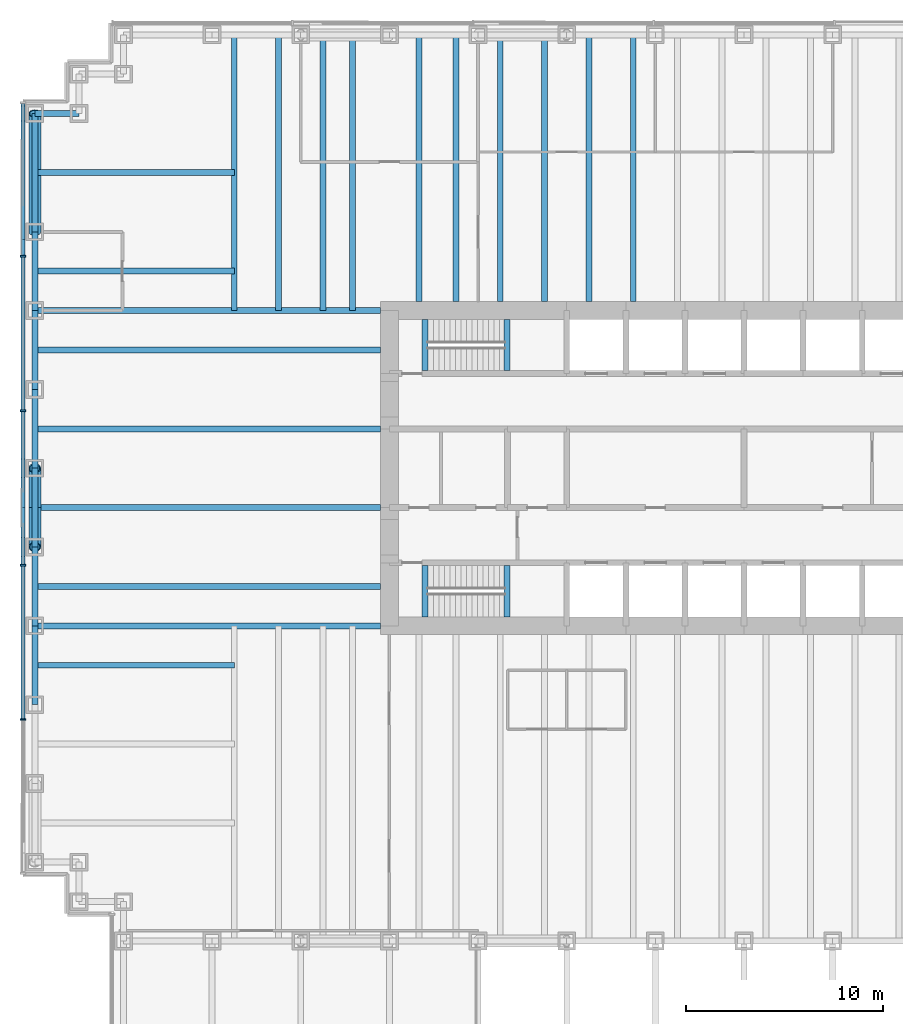
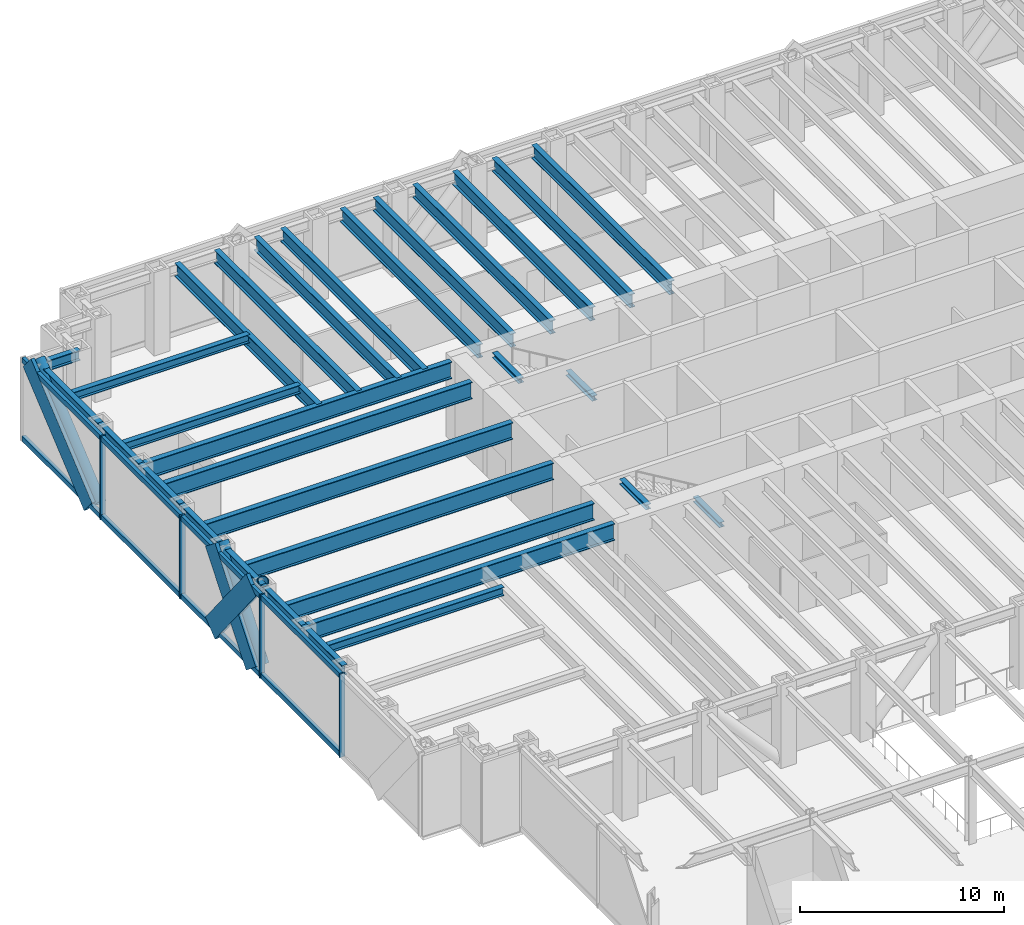
# One storey, part 5 of 17: 31 beams, 18 members, 1 element without a shape of its own.
"""IFC4 building model written with IfcOpenShell, lengths in metres."""

from ifc_helpers import new_model, si_unit, direction, frame, origin, origin_2d, place, context, subcontext, project, spatial, rectangle, hollow_circle, i_section, extrude, material, material_profile, profile_set, type_object, element, aggregate, save


model = new_model("IFC4")

# Units and contexts
model_context = context("Model", 3, precision=1e-05, world=origin(), true_north=direction((0.0, 1.0)))
body_context = subcontext(model_context, "Body", "Model", "MODEL_VIEW")
ifc_project = project(units=[si_unit("LENGTHUNIT", "METRE"), si_unit("AREAUNIT", "SQUARE_METRE"), si_unit("VOLUMEUNIT", "CUBIC_METRE"), si_unit("PLANEANGLEUNIT", "RADIAN"), si_unit("MASSUNIT", "GRAM", prefix="KILO")], contexts=[model_context])

# Site, building, storey
site_placement = place(None, origin())
site = spatial("IfcSite", under=ifc_project, at=site_placement, CompositionType="ELEMENT")
building_placement = place(site_placement, origin())
building = spatial("IfcBuilding", under=site, at=building_placement, Name="Rheinbord Bourse Tower", CompositionType="ELEMENT")
storey_placement = place(building_placement, frame((0.0, 0.0, 18.0)))
storey = spatial("IfcBuildingStorey", under=building, at=storey_placement, Name="L03", CompositionType="ELEMENT", Elevation=18.0)

# Curtain wall, members
ifc_material_1 = material(Name="Dark glass and black aluminium", Category="aluminium")
curtain_wall_type = type_object("IfcCurtainWallType", Name="CW4 DARK GLASS CURTAIN WALL", PredefinedType="USERDEFINED", material=ifc_material_1)
curtain_wall_placement = place(storey_placement, origin())
curtain_wall = element("IfcCurtainWall", 1, at=curtain_wall_placement, inside=storey, type_object=curtain_wall_type, Name="Curtain wall CW4 W L03", ObjectType="UNITISED CURTAIN WALL", PredefinedType="USERDEFINED")
ifc_material_2 = material(Name="Black anodised aluminium", Category="aluminium")
ifc_material_profile_1 = material_profile(ifc_material_2, rectangle(XDim=0.199951171875, YDim=1.2099609375, at=origin_2d()), Name="CW4 DIAGONAL MULLION 1210x200")
ifc_profile_set_1 = profile_set([ifc_material_profile_1], Name="Black anodised aluminium")
member_type_1 = type_object("IfcMemberType", Name="CW4 BLACK DIAGONAL MULLION", PredefinedType="USERDEFINED", material=ifc_profile_set_1)
member_1_placement = place(storey_placement, frame((-0.60009765625, 20.0, 0.0), z_axis=(0.0, 0.624695047554, 0.780868809443), x_axis=(-1.0, 0.0, 0.0)))
member_1 = element("IfcMember", 2, at=member_1_placement, type_object=member_type_1, Name="CW4 diagonal mullion a", ObjectType="DIAGONAL MULLION", PredefinedType="USERDEFINED", context=body_context, shape_type="SweptSolid", body=[
    extrude(rectangle(XDim=0.199951171875, YDim=1.2099609375, at=origin_2d()), origin(), (0.0, 0.0, 1.0), 6.403076171875),
])
member_2_placement = place(storey_placement, frame((-0.60009765625, 24.0, 0.0), z_axis=(0.0, -0.624695047554, 0.780868809443), x_axis=(1.0, 0.0, 0.0)))
member_2 = element("IfcMember", 3, at=member_2_placement, type_object=member_type_1, Name="CW4 diagonal mullion b", ObjectType="DIAGONAL MULLION", PredefinedType="USERDEFINED", context=body_context, shape_type="SweptSolid", body=[
    extrude(rectangle(XDim=0.199951171875, YDim=1.2099609375, at=origin_2d()), origin(), (0.0, 0.0, 1.0), 6.403076171875),
])
member_3_placement = place(storey_placement, frame((-0.60009765625, 36.0, 0.0), z_axis=(0.0, 0.768221279597, 0.640184399664), x_axis=(-1.0, 0.0, 0.0)))
member_3 = element("IfcMember", 4, at=member_3_placement, type_object=member_type_1, Name="CW4 diagonal mullion c", ObjectType="DIAGONAL MULLION", PredefinedType="USERDEFINED", context=body_context, shape_type="SweptSolid", body=[
    extrude(rectangle(XDim=0.199951171875, YDim=1.2099609375, at=origin_2d()), origin(), (0.0, 0.0, 1.0), 7.810302734375),
])
ifc_material_3 = material(Name="Black anodised aluminium", Category="aluminium")
ifc_material_profile_2 = material_profile(ifc_material_3, rectangle(XDim=0.300048828125, YDim=0.090087890625, at=origin_2d()), Name="CW4 MULLION 90x300")
ifc_profile_set_2 = profile_set([ifc_material_profile_2], Name="Black anodised aluminium")
member_type_2 = type_object("IfcMemberType", Name="CW4 BLACK MULLION", PredefinedType="MULLION", material=ifc_profile_set_2)
member_4_placement = place(storey_placement, frame((-0.60009765625, 34.760009765625, 0.0), z_axis=(0.0, 0.0, 1.0), x_axis=(1.0, 0.0, 0.0)))
member_4 = element("IfcMember", 5, at=member_4_placement, type_object=member_type_2, Name="CW4 mullion 2", PredefinedType="MULLION", context=body_context, shape_type="SweptSolid", body=[
    extrude(rectangle(XDim=0.300048828125, YDim=0.090087890625, at=origin_2d()), origin(), (0.0, 0.0, 1.0), 5.0),
])
member_5_placement = place(storey_placement, frame((-0.60009765625, 26.919921875, 0.0), z_axis=(0.0, 0.0, 1.0), x_axis=(1.0, 0.0, 0.0)))
member_5 = element("IfcMember", 6, at=member_5_placement, type_object=member_type_2, Name="CW4 mullion 3", PredefinedType="MULLION", context=body_context, shape_type="SweptSolid", body=[
    extrude(rectangle(XDim=0.300048828125, YDim=0.090087890625, at=origin_2d()), origin(), (0.0, 0.0, 1.0), 5.0),
])
member_6_placement = place(storey_placement, frame((-0.60009765625, 19.080078125, 0.0), z_axis=(0.0, 0.0, 1.0), x_axis=(1.0, 0.0, 0.0)))
member_6 = element("IfcMember", 7, at=member_6_placement, type_object=member_type_2, Name="CW4 mullion 4", PredefinedType="MULLION", context=body_context, shape_type="SweptSolid", body=[
    extrude(rectangle(XDim=0.300048828125, YDim=0.090087890625, at=origin_2d()), origin(), (0.0, 0.0, 1.0), 5.0),
])
member_7_placement = place(storey_placement, frame((-0.60009765625, 11.239990234375, 0.0), z_axis=(0.0, 0.0, 1.0), x_axis=(1.0, 0.0, 0.0)))
member_7 = element("IfcMember", 8, at=member_7_placement, type_object=member_type_2, Name="CW4 mullion 5", PredefinedType="MULLION", context=body_context, shape_type="SweptSolid", body=[
    extrude(rectangle(XDim=0.300048828125, YDim=0.090087890625, at=origin_2d()), origin(), (0.0, 0.0, 1.0), 5.0),
])
ifc_material_4 = material(Name="Black anodised aluminium", Category="aluminium")
ifc_material_profile_3 = material_profile(ifc_material_4, rectangle(XDim=0.199951171875, YDim=0.300048828125, at=origin_2d()), Name="CW4 TRANSOM 300x200")
ifc_profile_set_3 = profile_set([ifc_material_profile_3], Name="Black anodised aluminium")
member_type_3 = type_object("IfcMemberType", Name="CW4 BLACK TRANSOM", PredefinedType="USERDEFINED", material=ifc_profile_set_3)
member_8_placement = place(storey_placement, frame((-0.60009765625, 42.510009765625, 0.14990234375), z_axis=(0.0, -1.0, 0.0), x_axis=(1.0, 0.0, 0.0)))
member_8 = element("IfcMember", 9, at=member_8_placement, type_object=member_type_3, Name="CW4 transom 1.1", ObjectType="TRANSOM", PredefinedType="USERDEFINED", context=body_context, shape_type="SweptSolid", body=[
    extrude(rectangle(XDim=0.199951171875, YDim=0.300048828125, at=origin_2d()), origin(), (0.0, 0.0, 1.0), 7.705078125),
])
member_9_placement = place(storey_placement, frame((-0.60009765625, 42.510009765625, 4.85009765625), z_axis=(0.0, -1.0, 0.0), x_axis=(1.0, 0.0, 0.0)))
member_9 = element("IfcMember", 10, at=member_9_placement, type_object=member_type_3, Name="CW4 transom 1.2", ObjectType="TRANSOM", PredefinedType="USERDEFINED", context=body_context, shape_type="SweptSolid", body=[
    extrude(rectangle(XDim=0.199951171875, YDim=0.300048828125, at=origin_2d()), origin(), (0.0, 0.0, 1.0), 7.705078125),
])
member_10_placement = place(storey_placement, frame((-0.60009765625, 34.715087890625, 0.14990234375), z_axis=(0.0, -1.0, 0.0), x_axis=(1.0, 0.0, 0.0)))
member_10 = element("IfcMember", 11, at=member_10_placement, type_object=member_type_3, Name="CW4 transom 2.1", ObjectType="TRANSOM", PredefinedType="USERDEFINED", context=body_context, shape_type="SweptSolid", body=[
    extrude(rectangle(XDim=0.199951171875, YDim=0.300048828125, at=origin_2d()), origin(), (0.0, 0.0, 1.0), 7.75),
])
member_11_placement = place(storey_placement, frame((-0.60009765625, 34.715087890625, 4.85009765625), z_axis=(0.0, -1.0, 0.0), x_axis=(1.0, 0.0, 0.0)))
member_11 = element("IfcMember", 12, at=member_11_placement, type_object=member_type_3, Name="CW4 transom 2.2", ObjectType="TRANSOM", PredefinedType="USERDEFINED", context=body_context, shape_type="SweptSolid", body=[
    extrude(rectangle(XDim=0.199951171875, YDim=0.300048828125, at=origin_2d()), origin(), (0.0, 0.0, 1.0), 7.75),
])
member_12_placement = place(storey_placement, frame((-0.60009765625, 26.875, 0.14990234375), z_axis=(0.0, -1.0, 0.0), x_axis=(1.0, 0.0, 0.0)))
member_12 = element("IfcMember", 13, at=member_12_placement, type_object=member_type_3, Name="CW4 transom 3.1", ObjectType="TRANSOM", PredefinedType="USERDEFINED", context=body_context, shape_type="SweptSolid", body=[
    extrude(rectangle(XDim=0.199951171875, YDim=0.300048828125, at=origin_2d()), origin(), (0.0, 0.0, 1.0), 7.75),
])
member_13_placement = place(storey_placement, frame((-0.60009765625, 26.875, 4.85009765625), z_axis=(0.0, -1.0, 0.0), x_axis=(1.0, 0.0, 0.0)))
member_13 = element("IfcMember", 14, at=member_13_placement, type_object=member_type_3, Name="CW4 transom 3.2", ObjectType="TRANSOM", PredefinedType="USERDEFINED", context=body_context, shape_type="SweptSolid", body=[
    extrude(rectangle(XDim=0.199951171875, YDim=0.300048828125, at=origin_2d()), origin(), (0.0, 0.0, 1.0), 7.75),
])
member_14_placement = place(storey_placement, frame((-0.60009765625, 19.034912109375, 0.14990234375), z_axis=(0.0, -1.0, 0.0), x_axis=(1.0, 0.0, 0.0)))
member_14 = element("IfcMember", 15, at=member_14_placement, type_object=member_type_3, Name="CW4 transom 4.1", ObjectType="TRANSOM", PredefinedType="USERDEFINED", context=body_context, shape_type="SweptSolid", body=[
    extrude(rectangle(XDim=0.199951171875, YDim=0.300048828125, at=origin_2d()), origin(), (0.0, 0.0, 1.0), 7.75),
])
member_15_placement = place(storey_placement, frame((-0.60009765625, 19.034912109375, 4.85009765625), z_axis=(0.0, -1.0, 0.0), x_axis=(1.0, 0.0, 0.0)))
member_15 = element("IfcMember", 16, at=member_15_placement, type_object=member_type_3, Name="CW4 transom 4.2", ObjectType="TRANSOM", PredefinedType="USERDEFINED", context=body_context, shape_type="SweptSolid", body=[
    extrude(rectangle(XDim=0.199951171875, YDim=0.300048828125, at=origin_2d()), origin(), (0.0, 0.0, 1.0), 7.75),
])
aggregate(curtain_wall, [member_4, member_5, member_6, member_7, member_8, member_9, member_10, member_11, member_12, member_13, member_14, member_15, member_1, member_2, member_3])

# Beams
ifc_material_5 = material(Name="Steel S460", Category="steel")
ifc_material_profile_4 = material_profile(ifc_material_5, i_section(OverallWidth=0.302001953125, OverallDepth=1.008056640625, WebThickness=0.02099609375, FlangeThickness=0.0400390625, at=origin_2d()), Name="HEM 1000")
ifc_profile_set_4 = profile_set([ifc_material_profile_4], Name="Steel S460")
beam_type_1 = type_object("IfcBeamType", Name="END BEAM HEM 1000", PredefinedType="BEAM", material=ifc_profile_set_4)
for number, where, z_axis, x_axis, name in (
    (17, (0.0, 18.0, 4.31591796875), (1.0, 0.0, 0.0), (0.0, 1.0, 0.0), "End beam west 18 L04"),
    (18, (0.0, 22.0, 4.31591796875), (1.0, 0.0, 0.0), (0.0, 1.0, 0.0), "End beam west 22 L04"),
    (19, (0.0, 26.0, 4.31591796875), (1.0, 0.0, 0.0), (0.0, 1.0, 0.0), "End beam west 26 L04"),
    (20, (0.0, 30.0, 4.31591796875), (1.0, 0.0, 0.0), (0.0, 1.0, 0.0), "End beam west 30 L04"),
):
    element("IfcBeam", number, at=place(storey_placement, frame(where, z_axis=z_axis, x_axis=x_axis)), inside=storey, type_object=beam_type_1, Name=name, PredefinedType="BEAM", context=body_context, shape_type="SweptSolid", body=[
        extrude(i_section(OverallWidth=0.302001953125, OverallDepth=1.008056640625, WebThickness=0.02099609375, FlangeThickness=0.0400390625, at=origin_2d()), origin(), (0.0, 0.0, 1.0), 17.550048828125),
    ])
ifc_material_6 = material(Name="Steel S460", Category="steel")
ifc_material_profile_5 = material_profile(ifc_material_6, i_section(OverallWidth=0.300048828125, OverallDepth=0.800048828125, WebThickness=0.017578125, FlangeThickness=0.032958984375, at=origin_2d()), Name="HEB 800")
ifc_profile_set_5 = profile_set([ifc_material_profile_5], Name="Steel S460")
beam_type_2 = type_object("IfcBeamType", Name="FLOOR BEAM HEB 800", PredefinedType="BEAM", material=ifc_profile_set_5)
for number, where, z_axis, x_axis, name in (
    (21, (10.125, 46.0, 4.419921875), (0.0, -1.0, 0.0), (1.0, 0.0, 0.0), "Floor beam N-9a L04"),
    (22, (12.375, 46.0, 4.419921875), (0.0, -1.0, 0.0), (1.0, 0.0, 0.0), "Floor beam N-9b L04"),
    (23, (14.625, 46.0, 4.419921875), (0.0, -1.0, 0.0), (1.0, 0.0, 0.0), "Floor beam N-13.5a L04"),
    (24, (16.125, 46.0, 4.419921875), (0.0, -1.0, 0.0), (1.0, 0.0, 0.0), "Floor beam N-13.5b L04"),
):
    element("IfcBeam", number, at=place(storey_placement, frame(where, z_axis=z_axis, x_axis=x_axis)), inside=storey, type_object=beam_type_2, Name=name, PredefinedType="BEAM", context=body_context, shape_type="SweptSolid", body=[
        extrude(i_section(OverallWidth=0.300048828125, OverallDepth=0.800048828125, WebThickness=0.017578125, FlangeThickness=0.032958984375, at=origin_2d()), origin(), (0.0, 0.0, 1.0), 14.0),
    ])
for number, where, z_axis, x_axis, name in (
    (25, (19.5, 46.0, 4.419921875), (0.0, -1.0, 0.0), (1.0, 0.0, 0.0), "Floor beam N-18a L04"),
    (26, (21.375, 46.0, 4.419921875), (0.0, -1.0, 0.0), (1.0, 0.0, 0.0), "Floor beam N-18b L04"),
    (27, (23.625, 46.0, 4.419921875), (0.0, -1.0, 0.0), (1.0, 0.0, 0.0), "Floor beam N-22.5a L04"),
    (28, (25.875, 46.0, 4.419921875), (0.0, -1.0, 0.0), (1.0, 0.0, 0.0), "Floor beam N-22.5b L04"),
    (29, (28.125, 46.0, 4.419921875), (0.0, -1.0, 0.0), (1.0, 0.0, 0.0), "Floor beam N-27a L04"),
    (30, (30.375, 46.0, 4.419921875), (0.0, -1.0, 0.0), (1.0, 0.0, 0.0), "Floor beam N-27b L04"),
):
    element("IfcBeam", number, at=place(storey_placement, frame(where, z_axis=z_axis, x_axis=x_axis)), inside=storey, type_object=beam_type_2, Name=name, PredefinedType="BEAM", context=body_context, shape_type="SweptSolid", body=[
        extrude(i_section(OverallWidth=0.300048828125, OverallDepth=0.800048828125, WebThickness=0.017578125, FlangeThickness=0.032958984375, at=origin_2d()), origin(), (0.0, 0.0, 1.0), 13.550048828125),
    ])
ifc_material_7 = material(Name="Steel S460", Category="steel")
ifc_material_profile_6 = material_profile(ifc_material_7, i_section(OverallWidth=0.302001953125, OverallDepth=1.008056640625, WebThickness=0.02099609375, FlangeThickness=0.0400390625, at=origin_2d()), Name="HEM 1000")
ifc_profile_set_6 = profile_set([ifc_material_profile_6], Name="Steel S460")
beam_type_3 = type_object("IfcBeamType", Name="GIRDER HEM 1000", PredefinedType="BEAM", material=ifc_profile_set_6)
for number, where, z_axis, x_axis, name in (
    (31, (0.0, 16.0, 4.31591796875), (1.0, 0.0, 0.0), (0.0, 1.0, 0.0), "Girder west 16 L04"),
    (32, (0.0, 32.0, 4.31591796875), (1.0, 0.0, 0.0), (0.0, 1.0, 0.0), "Girder west 32 L04"),
):
    element("IfcBeam", number, at=place(storey_placement, frame(where, z_axis=z_axis, x_axis=x_axis)), inside=storey, type_object=beam_type_3, Name=name, PredefinedType="BEAM", context=body_context, shape_type="SweptSolid", body=[
        extrude(i_section(OverallWidth=0.302001953125, OverallDepth=1.008056640625, WebThickness=0.02099609375, FlangeThickness=0.0400390625, at=origin_2d()), origin(), (0.0, 0.0, 1.0), 17.550048828125),
    ])
ifc_material_8 = material(Name="Steel S460", Category="steel")
ifc_material_profile_7 = material_profile(ifc_material_8, i_section(OverallWidth=0.300048828125, OverallDepth=0.300048828125, WebThickness=0.010986328125, FlangeThickness=0.01904296875, at=origin_2d()), Name="HEB 300")
ifc_profile_set_7 = profile_set([ifc_material_profile_7], Name="Steel S460")
beam_type_4 = type_object("IfcBeamType", Name="LANDING TRIMMER HEB 300", PredefinedType="BEAM", material=ifc_profile_set_7)
for number, where, z_axis, x_axis, name in (
    (33, (23.969970703125, 16.449951171875, 2.14990234375), (0.0, 1.0, 0.0), (-1.0, 0.0, 0.0), "Landing trimmer ST1 L03"),
    (34, (19.800048828125, 16.449951171875, 4.669921875), (0.0, 1.0, 0.0), (-1.0, 0.0, 0.0), "Well trimmer ST1 under L04"),
    (35, (23.969970703125, 28.949951171875, 2.14990234375), (0.0, 1.0, 0.0), (-1.0, 0.0, 0.0), "Landing trimmer ST2 L03"),
    (36, (19.800048828125, 28.949951171875, 4.669921875), (0.0, 1.0, 0.0), (-1.0, 0.0, 0.0), "Well trimmer ST2 under L04"),
):
    element("IfcBeam", number, at=place(storey_placement, frame(where, z_axis=z_axis, x_axis=x_axis)), inside=storey, type_object=beam_type_4, Name=name, PredefinedType="BEAM", context=body_context, shape_type="SweptSolid", body=[
        extrude(i_section(OverallWidth=0.300048828125, OverallDepth=0.300048828125, WebThickness=0.010986328125, FlangeThickness=0.01904296875, at=origin_2d()), origin(), (0.0, 0.0, 1.0), 2.60009765625),
    ])

# Members
ifc_material_9 = material(Name="Steel S460", Category="steel")
ifc_material_profile_8 = material_profile(ifc_material_9, hollow_circle(Radius=0.304931640625, WallThickness=0.050048828125, at=origin_2d()), Name="CHS 610x50")
ifc_profile_set_8 = profile_set([ifc_material_profile_8], Name="Steel S460")
member_type_4 = type_object("IfcMemberType", Name="MEGABRACE CHS 610x50", PredefinedType="BRACE", material=ifc_profile_set_8)
for number, where, z_axis, x_axis, name in (
    (37, (0.0, 20.0, 0.0), (0.0, 0.624695047554, 0.780868809443), (-1.0, 0.0, 0.0), "Megabrace W face line a L03"),
    (38, (0.0, 24.0, 0.0), (0.0, -0.624695047554, 0.780868809443), (1.0, 0.0, 0.0), "Megabrace W face line b L03"),
):
    element("IfcMember", number, at=place(storey_placement, frame(where, z_axis=z_axis, x_axis=x_axis)), inside=storey, type_object=member_type_4, Name=name, PredefinedType="BRACE", context=body_context, shape_type="SweptSolid", body=[
        extrude(hollow_circle(Radius=0.304931640625, WallThickness=0.050048828125, at=origin_2d()), origin(), (0.0, 0.0, 1.0), 6.403076171875),
    ])
member_16_placement = place(storey_placement, frame((0.0, 36.0, 0.0), z_axis=(0.0, 0.768221279597, 0.640184399664), x_axis=(-1.0, 0.0, 0.0)))
element("IfcMember", 39, at=member_16_placement, inside=storey, type_object=member_type_4, Name="Megabrace W face line c L03", PredefinedType="BRACE", context=body_context, shape_type="SweptSolid", body=[
    extrude(hollow_circle(Radius=0.304931640625, WallThickness=0.050048828125, at=origin_2d()), origin(), (0.0, 0.0, 1.0), 7.810302734375),
])

# Beams
ifc_material_10 = material(Name="Steel S460", Category="steel")
ifc_material_profile_9 = material_profile(ifc_material_10, i_section(OverallWidth=0.304931640625, OverallDepth=0.6201171875, WebThickness=0.02099609375, FlangeThickness=0.0400390625, at=origin_2d()), Name="HEM 600")
ifc_profile_set_9 = profile_set([ifc_material_profile_9], Name="Steel S460")
beam_type_5 = type_object("IfcBeamType", Name="SPANDREL HEM 600", PredefinedType="SPANDREL", material=ifc_profile_set_9)
beam_1_placement = place(storey_placement, frame((2.25, 42.0, 4.510009765625), z_axis=(-1.0, 0.0, 0.0), x_axis=(0.0, -1.0, 0.0)))
element("IfcBeam", 40, at=beam_1_placement, inside=storey, type_object=beam_type_5, Name="Spandrel NW-B-NW-A under L04", PredefinedType="SPANDREL", context=body_context, shape_type="SweptSolid", body=[
    extrude(i_section(OverallWidth=0.304931640625, OverallDepth=0.6201171875, WebThickness=0.02099609375, FlangeThickness=0.0400390625, at=origin_2d()), origin(), (0.0, 0.0, 1.0), 2.25),
])
beam_2_placement = place(storey_placement, frame((0.0, 42.0, 4.510009765625), z_axis=(0.0, -1.0, 0.0), x_axis=(1.0, 0.0, 0.0)))
element("IfcBeam", 41, at=beam_2_placement, inside=storey, type_object=beam_type_5, Name="Spandrel NW-A-W-36 under L04", PredefinedType="SPANDREL", context=body_context, shape_type="SweptSolid", body=[
    extrude(i_section(OverallWidth=0.304931640625, OverallDepth=0.6201171875, WebThickness=0.02099609375, FlangeThickness=0.0400390625, at=origin_2d()), origin(), (0.0, 0.0, 1.0), 6.0),
])
for number, where, z_axis, x_axis, name in (
    (42, (0.0, 36.0, 4.510009765625), (0.0, -1.0, 0.0), (1.0, 0.0, 0.0), "Spandrel W-36-W-32 under L04"),
    (43, (0.0, 32.0, 4.510009765625), (0.0, -1.0, 0.0), (1.0, 0.0, 0.0), "Spandrel W-32-W-28 under L04"),
    (44, (0.0, 28.0, 4.510009765625), (0.0, -1.0, 0.0), (1.0, 0.0, 0.0), "Spandrel W-28-W-24 under L04"),
    (45, (0.0, 24.0, 4.510009765625), (0.0, -1.0, 0.0), (1.0, 0.0, 0.0), "Spandrel W-24-W-20 under L04"),
    (46, (0.0, 20.0, 4.510009765625), (0.0, -1.0, 0.0), (1.0, 0.0, 0.0), "Spandrel W-20-W-16 under L04"),
    (47, (0.0, 16.0, 4.510009765625), (0.0, -1.0, 0.0), (1.0, 0.0, 0.0), "Spandrel W-16-W-12 under L04"),
):
    element("IfcBeam", number, at=place(storey_placement, frame(where, z_axis=z_axis, x_axis=x_axis)), inside=storey, type_object=beam_type_5, Name=name, PredefinedType="SPANDREL", context=body_context, shape_type="SweptSolid", body=[
        extrude(i_section(OverallWidth=0.304931640625, OverallDepth=0.6201171875, WebThickness=0.02099609375, FlangeThickness=0.0400390625, at=origin_2d()), origin(), (0.0, 0.0, 1.0), 4.0),
    ])
ifc_material_11 = material(Name="Steel S460", Category="steel")
ifc_material_profile_10 = material_profile(ifc_material_11, i_section(OverallWidth=0.300048828125, OverallDepth=0.5, WebThickness=0.014404296875, FlangeThickness=0.028076171875, at=origin_2d()), Name="HEB 500")
ifc_profile_set_10 = profile_set([ifc_material_profile_10], Name="Steel S460")
beam_type_6 = type_object("IfcBeamType", Name="TIE BEAM HEB 500", PredefinedType="JOIST", material=ifc_profile_set_10)
for number, where, z_axis, x_axis, name in (
    (48, (0.0, 14.0, 4.570068359375), (1.0, 0.0, 0.0), (0.0, 1.0, 0.0), "Tie west 14 L04"),
    (49, (0.0, 34.0, 4.570068359375), (1.0, 0.0, 0.0), (0.0, 1.0, 0.0), "Tie west 34 L04"),
    (50, (0.0, 39.0, 4.570068359375), (1.0, 0.0, 0.0), (0.0, 1.0, 0.0), "Tie west 39 L04"),
):
    element("IfcBeam", number, at=place(storey_placement, frame(where, z_axis=z_axis, x_axis=x_axis)), inside=storey, type_object=beam_type_6, Name=name, PredefinedType="JOIST", context=body_context, shape_type="SweptSolid", body=[
        extrude(i_section(OverallWidth=0.300048828125, OverallDepth=0.5, WebThickness=0.014404296875, FlangeThickness=0.028076171875, at=origin_2d()), origin(), (0.0, 0.0, 1.0), 10.125),
    ])

save(model, "model.ifc")
